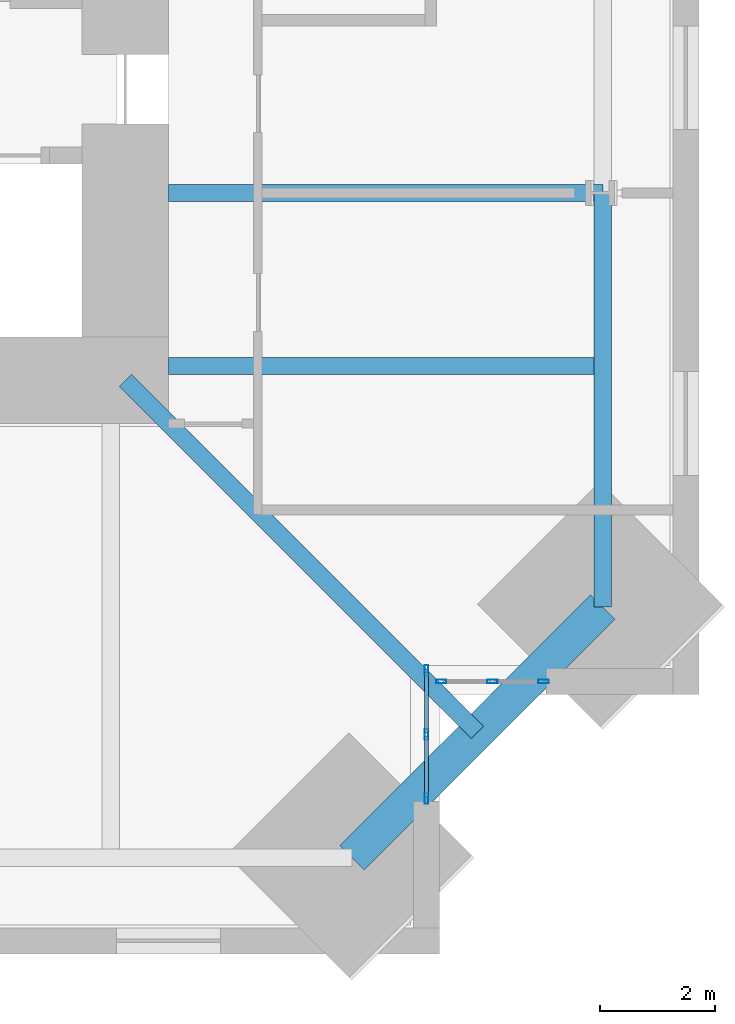
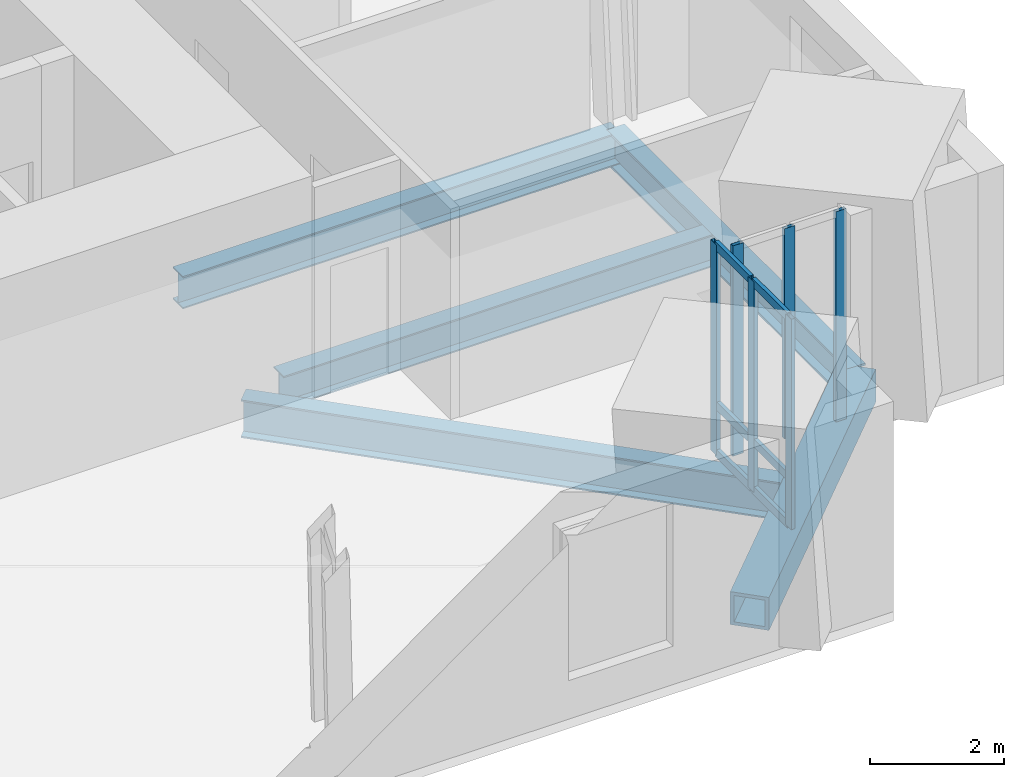
# One storey, part 4 of 15: 12 members, 5 beams, 2 elements without a shape of their own.
"""IFC4 building model written with IfcOpenShell, lengths in metres."""

from ifc_helpers import new_model, si_unit, direction, frame, origin, origin_2d, place, context, subcontext, project, spatial, hollow_rectangle, i_section, extrude, material, material_profile, profile_set, type_object, element, aggregate, save


model = new_model("IFC4")

# Units and contexts
model_context = context("Model", 3, precision=1e-05, world=origin(), true_north=direction((0.0, 1.0)))
body_context = subcontext(model_context, "Body", "Model", "MODEL_VIEW")
ifc_project = project(units=[si_unit("LENGTHUNIT", "METRE"), si_unit("AREAUNIT", "SQUARE_METRE"), si_unit("VOLUMEUNIT", "CUBIC_METRE"), si_unit("PLANEANGLEUNIT", "RADIAN"), si_unit("MASSUNIT", "GRAM", prefix="KILO")], contexts=[model_context])

# Site, building, storey
site_placement = place(None, origin())
site = spatial("IfcSite", under=ifc_project, at=site_placement, CompositionType="ELEMENT")
building_placement = place(site_placement, origin())
building = spatial("IfcBuilding", under=site, at=building_placement, Name="Peilmerk Tower", CompositionType="ELEMENT")
storey_placement = place(building_placement, frame((0.0, 0.0, 281.800048828125)))
storey = spatial("IfcBuildingStorey", under=building, at=storey_placement, Name="L63", CompositionType="ELEMENT", Elevation=281.800048828125)

# Beams
ifc_material_1 = material(Name="Steel S355", Category="steel")
ifc_material_profile_1 = material_profile(ifc_material_1, i_section(OverallWidth=0.300048828125, OverallDepth=0.68994140625, WebThickness=0.014404296875, FlangeThickness=0.027099609375, at=origin_2d()), Name="HEA 700")
ifc_profile_set_1 = profile_set([ifc_material_profile_1], Name="Steel S355")
beam_type_1 = type_object("IfcBeamType", Name="B16 HEA 700 floor beam", PredefinedType="BEAM", material=ifc_profile_set_1)
beam_1_placement = place(storey_placement, frame((11.25, -11.25, -0.51513671875), z_axis=(0.707106781187, -0.707106781187, 0.0), x_axis=(0.707106781187, 0.707106781187, 0.0)))
element("IfcBeam", 1, at=beam_1_placement, inside=storey, type_object=beam_type_1, Name="Corner girder L63", PredefinedType="BEAM", context=body_context, shape_type="SweptSolid", body=[
    extrude(i_section(OverallWidth=0.300048828125, OverallDepth=0.68994140625, WebThickness=0.014404296875, FlangeThickness=0.027099609375, at=origin_2d()), origin(), (0.0, 0.0, 1.0), 8.63916015625),
])
ifc_material_2 = material(Name="Steel S460", Category="steel")
ifc_material_profile_2 = material_profile(ifc_material_2, hollow_rectangle(XDim=0.60009765625, YDim=0.60009765625, WallThickness=0.06005859375, at=origin_2d()), Name="BOX 600x600x60")
ifc_profile_set_2 = profile_set([ifc_material_profile_2], Name="Steel S460")
beam_type_2 = type_object("IfcBeamType", Name="B20 BOX 600x600x60 notch beam", PredefinedType="SPANDREL", material=ifc_profile_set_2)
beam_2_placement = place(storey_placement, frame((19.533935546875, -15.183837890625, -0.469970703125), z_axis=(-0.707106781187, -0.707106781187, 0.0), x_axis=(0.707106781187, -0.707106781187, 0.0)))
element("IfcBeam", 2, at=beam_2_placement, inside=storey, type_object=beam_type_2, Name="Notch beam L63", PredefinedType="SPANDREL", context=body_context, shape_type="SweptSolid", body=[
    extrude(hollow_rectangle(XDim=0.60009765625, YDim=0.60009765625, WallThickness=0.06005859375, at=origin_2d()), origin(), (0.0, 0.0, 1.0), 6.15185546875),
])
ifc_material_profile_3 = material_profile(ifc_material_1, i_section(OverallWidth=0.300048828125, OverallDepth=0.590087890625, WebThickness=0.012939453125, FlangeThickness=0.02490234375, at=origin_2d()), Name="HEA 600")
ifc_profile_set_3 = profile_set([ifc_material_profile_3], Name="Steel S355")
beam_type_3 = type_object("IfcBeamType", Name="B27 HEA 600 floor beam", PredefinedType="BEAM", material=ifc_profile_set_3)
for number, where, z_axis, x_axis, name in (
    (3, (12.0, -11.0, -0.465087890625), (1.0, 0.0, 0.0), (0.0, 1.0, 0.0), "Floor beam L63"),
    (4, (12.0, -8.0, -0.465087890625), (1.0, 0.0, 0.0), (0.0, 1.0, 0.0), "Floor beam L63"),
):
    element("IfcBeam", number, at=place(storey_placement, frame(where, z_axis=z_axis, x_axis=x_axis)), inside=storey, type_object=beam_type_3, Name=name, PredefinedType="BEAM", context=body_context, shape_type="SweptSolid", body=[
        extrude(i_section(OverallWidth=0.300048828125, OverallDepth=0.590087890625, WebThickness=0.012939453125, FlangeThickness=0.02490234375, at=origin_2d()), origin(), (0.0, 0.0, 1.0), 7.533935546875),
    ])
ifc_material_profile_4 = material_profile(ifc_material_1, i_section(OverallWidth=0.304931640625, OverallDepth=0.6201171875, WebThickness=0.02099609375, FlangeThickness=0.0400390625, at=origin_2d()), Name="HEM 600")
ifc_profile_set_4 = profile_set([ifc_material_profile_4], Name="Steel S355")
beam_type_4 = type_object("IfcBeamType", Name="B31 HEM 600 edge beam", PredefinedType="SPANDREL", material=ifc_profile_set_4)
beam_3_placement = place(storey_placement, frame((19.533935546875, -15.183837890625, -0.47998046875), z_axis=(0.0, 1.0, 0.0), x_axis=(-1.0, 0.0, 0.0)))
element("IfcBeam", 5, at=beam_3_placement, inside=storey, type_object=beam_type_4, Name="Edge beam L63", PredefinedType="SPANDREL", context=body_context, shape_type="SweptSolid", body=[
    extrude(i_section(OverallWidth=0.304931640625, OverallDepth=0.6201171875, WebThickness=0.02099609375, FlangeThickness=0.0400390625, at=origin_2d()), origin(), (0.0, 0.0, 1.0), 7.183837890625),
])

# Curtain wall, members
ifc_material_3 = material(Name="Aluminium stick curtain wall", Category="aluminium")
curtain_wall_type = type_object("IfcCurtainWallType", Name="CW4 stick curtain wall, 2250 module", PredefinedType="NOTDEFINED", material=ifc_material_3)
curtain_wall_1_placement = place(storey_placement, origin())
curtain_wall_1 = element("IfcCurtainWall", 6, at=curtain_wall_1_placement, inside=storey, type_object=curtain_wall_type, Name="Curtain wall CW4 SEA L63", PredefinedType="NOTDEFINED")
ifc_material_4 = material(Name="Aluminium EN AW-6063 T6", Category="aluminium")
ifc_material_profile_5 = material_profile(ifc_material_4, hollow_rectangle(XDim=0.06494140625, YDim=0.179931640625, WallThickness=0.0029296875, at=origin_2d()), Name="AL 180x65x3")
ifc_profile_set_5 = profile_set([ifc_material_profile_5], Name="Aluminium EN AW-6063 T6")
member_type_1 = type_object("IfcMemberType", Name="CW4-M AL 180x65x3 mullion", PredefinedType="MULLION", material=ifc_profile_set_5)
member_1_placement = place(storey_placement, frame((16.47509765625, -16.282470703125, 0.0), z_axis=(0.0, 0.0, 1.0), x_axis=(1.0, 0.0, 0.0)))
member_1 = element("IfcMember", 7, at=member_1_placement, type_object=member_type_1, Name="CW4 mullion 1", PredefinedType="MULLION", context=body_context, shape_type="SweptSolid", body=[
    extrude(hollow_rectangle(XDim=0.06494140625, YDim=0.179931640625, WallThickness=0.0029296875, at=origin_2d()), origin(), (0.0, 0.0, 1.0), 3.829833984375),
])
member_2_placement = place(storey_placement, frame((16.47509765625, -17.394287109375, 0.0), z_axis=(0.0, 0.0, 1.0), x_axis=(1.0, 0.0, 0.0)))
member_2 = element("IfcMember", 8, at=member_2_placement, type_object=member_type_1, Name="CW4 mullion 2", PredefinedType="MULLION", context=body_context, shape_type="SweptSolid", body=[
    extrude(hollow_rectangle(XDim=0.06494140625, YDim=0.179931640625, WallThickness=0.0029296875, at=origin_2d()), origin(), (0.0, 0.0, 1.0), 3.829833984375),
])
member_3_placement = place(storey_placement, frame((16.47509765625, -18.506103515625, 0.0), z_axis=(0.0, 0.0, 1.0), x_axis=(1.0, 0.0, 0.0)))
member_3 = element("IfcMember", 9, at=member_3_placement, type_object=member_type_1, Name="CW4 mullion 3", PredefinedType="MULLION", context=body_context, shape_type="SweptSolid", body=[
    extrude(hollow_rectangle(XDim=0.06494140625, YDim=0.179931640625, WallThickness=0.0029296875, at=origin_2d()), origin(), (0.0, 0.0, 1.0), 3.829833984375),
])

curtain_wall_2_placement = place(storey_placement, origin())
curtain_wall_2 = element("IfcCurtainWall", 10, at=curtain_wall_2_placement, inside=storey, type_object=curtain_wall_type, Name="Curtain wall CW4 SEB L63", PredefinedType="NOTDEFINED")
member_4_placement = place(storey_placement, frame((16.732421875, -16.47509765625, 0.0), z_axis=(0.0, 0.0, 1.0), x_axis=(0.0, 1.0, 0.0)))
member_4 = element("IfcMember", 11, at=member_4_placement, type_object=member_type_1, Name="CW4 mullion 1", PredefinedType="MULLION", context=body_context, shape_type="SweptSolid", body=[
    extrude(hollow_rectangle(XDim=0.06494140625, YDim=0.179931640625, WallThickness=0.0029296875, at=origin_2d()), origin(), (0.0, 0.0, 1.0), 3.829833984375),
])
member_5_placement = place(storey_placement, frame((17.619384765625, -16.47509765625, 0.0), z_axis=(0.0, 0.0, 1.0), x_axis=(0.0, 1.0, 0.0)))
member_5 = element("IfcMember", 12, at=member_5_placement, type_object=member_type_1, Name="CW4 mullion 2", PredefinedType="MULLION", context=body_context, shape_type="SweptSolid", body=[
    extrude(hollow_rectangle(XDim=0.06494140625, YDim=0.179931640625, WallThickness=0.0029296875, at=origin_2d()), origin(), (0.0, 0.0, 1.0), 3.829833984375),
])
member_6_placement = place(storey_placement, frame((18.506103515625, -16.47509765625, 0.0), z_axis=(0.0, 0.0, 1.0), x_axis=(0.0, 1.0, 0.0)))
member_6 = element("IfcMember", 13, at=member_6_placement, type_object=member_type_1, Name="CW4 mullion 3", PredefinedType="MULLION", context=body_context, shape_type="SweptSolid", body=[
    extrude(hollow_rectangle(XDim=0.06494140625, YDim=0.179931640625, WallThickness=0.0029296875, at=origin_2d()), origin(), (0.0, 0.0, 1.0), 3.829833984375),
])
aggregate(curtain_wall_2, [member_4, member_5, member_6])

# Member
ifc_material_profile_6 = material_profile(ifc_material_4, hollow_rectangle(XDim=0.06494140625, YDim=0.14990234375, WallThickness=0.0029296875, at=origin_2d()), Name="AL 150x65x3")
ifc_profile_set_6 = profile_set([ifc_material_profile_6], Name="Aluminium EN AW-6063 T6")
member_type_2 = type_object("IfcMemberType", Name="CW4-T AL 150x65x3 transom", PredefinedType="USERDEFINED", material=ifc_profile_set_6)
member_7_placement = place(storey_placement, frame((16.47509765625, -16.31494140625, 0.032470703125), z_axis=(0.0, -1.0, 0.0), x_axis=(1.0, 0.0, 0.0)))
member_7 = element("IfcMember", 14, at=member_7_placement, type_object=member_type_2, Name="CW4 transom 1.1", ObjectType="TRANSOM", PredefinedType="USERDEFINED", context=body_context, shape_type="SweptSolid", body=[
    extrude(hollow_rectangle(XDim=0.06494140625, YDim=0.14990234375, WallThickness=0.0029296875, at=origin_2d()), origin(), (0.0, 0.0, 1.0), 1.046875),
])

member_8_placement = place(storey_placement, frame((16.47509765625, -16.31494140625, 0.89990234375), z_axis=(0.0, -1.0, 0.0), x_axis=(1.0, 0.0, 0.0)))
member_8 = element("IfcMember", 15, at=member_8_placement, type_object=member_type_2, Name="CW4 transom 1.2", ObjectType="TRANSOM", PredefinedType="USERDEFINED", context=body_context, shape_type="SweptSolid", body=[
    extrude(hollow_rectangle(XDim=0.06494140625, YDim=0.14990234375, WallThickness=0.0029296875, at=origin_2d()), origin(), (0.0, 0.0, 1.0), 1.046875),
])

member_9_placement = place(storey_placement, frame((16.47509765625, -16.31494140625, 3.79736328125), z_axis=(0.0, -1.0, 0.0), x_axis=(1.0, 0.0, 0.0)))
member_9 = element("IfcMember", 16, at=member_9_placement, type_object=member_type_2, Name="CW4 transom 1.3", ObjectType="TRANSOM", PredefinedType="USERDEFINED", context=body_context, shape_type="SweptSolid", body=[
    extrude(hollow_rectangle(XDim=0.06494140625, YDim=0.14990234375, WallThickness=0.0029296875, at=origin_2d()), origin(), (0.0, 0.0, 1.0), 1.046875),
])

member_10_placement = place(storey_placement, frame((16.47509765625, -17.4267578125, 0.032470703125), z_axis=(0.0, -1.0, 0.0), x_axis=(1.0, 0.0, 0.0)))
member_10 = element("IfcMember", 17, at=member_10_placement, type_object=member_type_2, Name="CW4 transom 2.1", ObjectType="TRANSOM", PredefinedType="USERDEFINED", context=body_context, shape_type="SweptSolid", body=[
    extrude(hollow_rectangle(XDim=0.06494140625, YDim=0.14990234375, WallThickness=0.0029296875, at=origin_2d()), origin(), (0.0, 0.0, 1.0), 1.046875),
])

member_11_placement = place(storey_placement, frame((16.47509765625, -17.4267578125, 0.89990234375), z_axis=(0.0, -1.0, 0.0), x_axis=(1.0, 0.0, 0.0)))
member_11 = element("IfcMember", 18, at=member_11_placement, type_object=member_type_2, Name="CW4 transom 2.2", ObjectType="TRANSOM", PredefinedType="USERDEFINED", context=body_context, shape_type="SweptSolid", body=[
    extrude(hollow_rectangle(XDim=0.06494140625, YDim=0.14990234375, WallThickness=0.0029296875, at=origin_2d()), origin(), (0.0, 0.0, 1.0), 1.046875),
])

member_12_placement = place(storey_placement, frame((16.47509765625, -17.4267578125, 3.79736328125), z_axis=(0.0, -1.0, 0.0), x_axis=(1.0, 0.0, 0.0)))
member_12 = element("IfcMember", 19, at=member_12_placement, type_object=member_type_2, Name="CW4 transom 2.3", ObjectType="TRANSOM", PredefinedType="USERDEFINED", context=body_context, shape_type="SweptSolid", body=[
    extrude(hollow_rectangle(XDim=0.06494140625, YDim=0.14990234375, WallThickness=0.0029296875, at=origin_2d()), origin(), (0.0, 0.0, 1.0), 1.046875),
])

aggregate(curtain_wall_1, [member_1, member_2, member_3, member_7, member_8, member_9, member_10, member_11, member_12])

save(model, "model.ifc")
